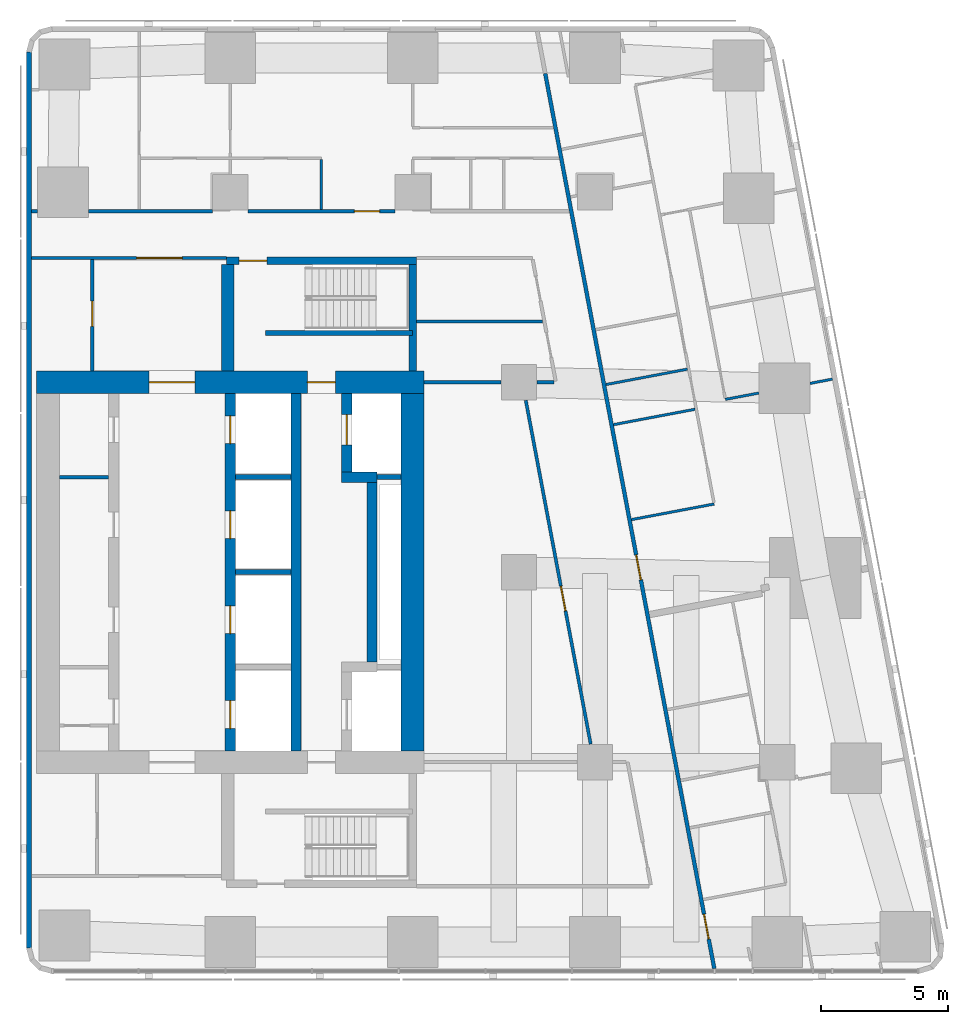
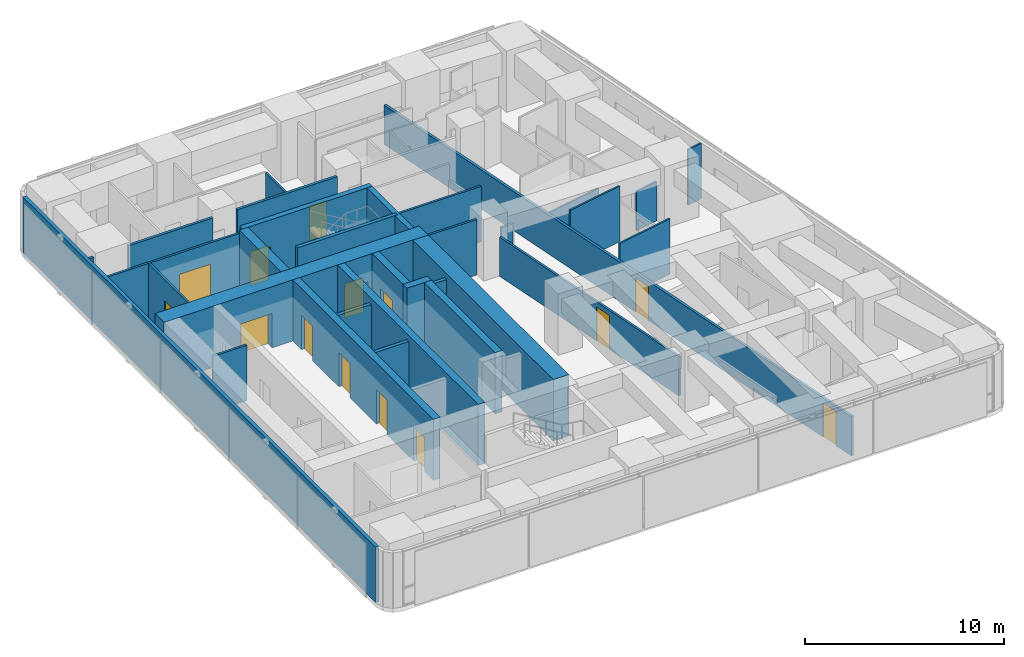
# One storey, part 6 of 10: 32 walls, 14 doors, 14 openings.
"""IFC4 building model written with IfcOpenShell, lengths in metres."""

from ifc_helpers import new_model, si_unit, direction, frame, frame_2d, origin, place, context, subcontext, project, spatial, rectangle, extrude, material, layer, layer_set, type_object, element, fill, save


model = new_model("IFC4")

# Units and contexts
model_context = context("Model", 3, precision=1e-05, world=origin(), true_north=direction((0.0, 1.0)))
body_context = subcontext(model_context, "Body", "Model", "MODEL_VIEW")
ifc_project = project(units=[si_unit("LENGTHUNIT", "METRE"), si_unit("AREAUNIT", "SQUARE_METRE"), si_unit("VOLUMEUNIT", "CUBIC_METRE"), si_unit("PLANEANGLEUNIT", "RADIAN"), si_unit("MASSUNIT", "GRAM", prefix="KILO")], contexts=[model_context])

# Site, building, storey
site_placement = place(None, origin())
site = spatial("IfcSite", under=ifc_project, at=site_placement, CompositionType="ELEMENT")
building_placement = place(site_placement, origin())
building = spatial("IfcBuilding", under=site, at=building_placement, Name="Sheger Commons Tower", CompositionType="ELEMENT")
storey_placement = place(building_placement, frame((0.0, 0.0, 292.85009765625)))
storey = spatial("IfcBuildingStorey", under=building, at=storey_placement, Name="L75", CompositionType="ELEMENT", Elevation=292.85009765625)

# Wall, openings, doors
ifc_material_1 = material(Name="Concrete C50/60", Category="concrete")
ifc_layer_1 = layer(ifc_material_1, 0.39990234375)
ifc_layer_set_1 = layer_set([ifc_layer_1], Name="CORE INNER WALL 400")
wall_type_1 = type_object("IfcWallType", Name="CORE INNER WALL 400", PredefinedType="SHEAR", material=ifc_layer_set_1)
wall_1_placement = place(storey_placement, frame((21.60009765625, 15.449951171875, 0.0), z_axis=(0.0, 0.0, 1.0), x_axis=(0.0, 1.0, 0.0)))
wall_1 = element("IfcWall", 1, at=wall_1_placement, inside=storey, type_object=wall_type_1, Name="Core inner wall L L75", PredefinedType="SHEAR", context=body_context, shape_type="SweptSolid", body=[
    extrude(rectangle(XDim=14.10009765625, YDim=0.39990234375, at=frame_2d((7.050048828125, 0.0))), origin(), (0.0, 0.0, 1.0), 3.75),
])
opening_1_placement = place(wall_1_placement, frame((0.875, 0.0, 0.0)))
opening_1 = element("IfcOpeningElement", 2, at=opening_1_placement, cuts=wall_1, Name="Opening LD", PredefinedType="OPENING", context=body_context, shape_type="SweptSolid", body=[
    extrude(rectangle(XDim=1.10009765625, YDim=2.10009765625, at=frame_2d((0.550048828125, 1.050048828125))), frame((0.0, 0.2099609375, 0.0), z_axis=(0.0, -1.0, 0.0), x_axis=(1.0, 0.0, 0.0)), (0.0, 0.0, 1.0), 0.419921875),
])
opening_2_placement = place(wall_1_placement, frame((4.625, 0.0, 0.0)))
opening_2 = element("IfcOpeningElement", 3, at=opening_2_placement, cuts=wall_1, Name="Opening LD", PredefinedType="OPENING", context=body_context, shape_type="SweptSolid", body=[
    extrude(rectangle(XDim=1.10009765625, YDim=2.10009765625, at=frame_2d((0.550048828125, 1.050048828125))), frame((0.0, 0.2099609375, 0.0), z_axis=(0.0, -1.0, 0.0), x_axis=(1.0, 0.0, 0.0)), (0.0, 0.0, 1.0), 0.419921875),
])
opening_3_placement = place(wall_1_placement, frame((8.375, 0.0, 0.0)))
opening_3 = element("IfcOpeningElement", 4, at=opening_3_placement, cuts=wall_1, Name="Opening LD", PredefinedType="OPENING", context=body_context, shape_type="SweptSolid", body=[
    extrude(rectangle(XDim=1.10009765625, YDim=2.10009765625, at=frame_2d((0.550048828125, 1.050048828125))), frame((0.0, 0.2099609375, 0.0), z_axis=(0.0, -1.0, 0.0), x_axis=(1.0, 0.0, 0.0)), (0.0, 0.0, 1.0), 0.419921875),
])
opening_4_placement = place(wall_1_placement, frame((12.125, 0.0, 0.0)))
opening_4 = element("IfcOpeningElement", 5, at=opening_4_placement, cuts=wall_1, Name="Opening LD", PredefinedType="OPENING", context=body_context, shape_type="SweptSolid", body=[
    extrude(rectangle(XDim=1.10009765625, YDim=2.10009765625, at=frame_2d((0.550048828125, 1.050048828125))), frame((0.0, 0.2099609375, 0.0), z_axis=(0.0, -1.0, 0.0), x_axis=(1.0, 0.0, 0.0)), (0.0, 0.0, 1.0), 0.419921875),
])
ifc_material_2 = material(Name="Steel door set, fire rated", Category="steel")
door_type_1 = type_object("IfcDoorType", Name="LIFT LANDING DOOR 1100x2100", OperationType="DOUBLE_DOOR_SLIDING", PredefinedType="DOOR", material=ifc_material_2)
door_1_placement = place(opening_1_placement, origin())
door_1 = element("IfcDoor", 6, at=door_1_placement, inside=storey, type_object=door_type_1, Name="Lift LB1 landing door", OperationType="DOUBLE_DOOR_SLIDING", OverallHeight=2.10009765625, OverallWidth=1.10009765625, PredefinedType="DOOR", context=body_context, shape_type="SweptSolid", body=[
    extrude(rectangle(XDim=1.10009765625, YDim=2.10009765625, at=frame_2d((0.550048828125, 1.050048828125))), frame((0.0, 0.02490234375, 0.0), z_axis=(0.0, -1.0, 0.0), x_axis=(1.0, 0.0, 0.0)), (0.0, 0.0, 1.0), 0.050048828125),
])
fill(opening_1, door_1)
door_2_placement = place(opening_2_placement, origin())
door_2 = element("IfcDoor", 7, at=door_2_placement, inside=storey, type_object=door_type_1, Name="Lift LB2 landing door", OperationType="DOUBLE_DOOR_SLIDING", OverallHeight=2.10009765625, OverallWidth=1.10009765625, PredefinedType="DOOR", context=body_context, shape_type="SweptSolid", body=[
    extrude(rectangle(XDim=1.10009765625, YDim=2.10009765625, at=frame_2d((0.550048828125, 1.050048828125))), frame((0.0, 0.02490234375, 0.0), z_axis=(0.0, -1.0, 0.0), x_axis=(1.0, 0.0, 0.0)), (0.0, 0.0, 1.0), 0.050048828125),
])
fill(opening_2, door_2)
door_3_placement = place(opening_3_placement, origin())
door_3 = element("IfcDoor", 8, at=door_3_placement, inside=storey, type_object=door_type_1, Name="Lift LB3 landing door", OperationType="DOUBLE_DOOR_SLIDING", OverallHeight=2.10009765625, OverallWidth=1.10009765625, PredefinedType="DOOR", context=body_context, shape_type="SweptSolid", body=[
    extrude(rectangle(XDim=1.10009765625, YDim=2.10009765625, at=frame_2d((0.550048828125, 1.050048828125))), frame((0.0, 0.02490234375, 0.0), z_axis=(0.0, -1.0, 0.0), x_axis=(1.0, 0.0, 0.0)), (0.0, 0.0, 1.0), 0.050048828125),
])
fill(opening_3, door_3)
door_4_placement = place(opening_4_placement, origin())
door_4 = element("IfcDoor", 9, at=door_4_placement, inside=storey, type_object=door_type_1, Name="Lift LB4 landing door", OperationType="DOUBLE_DOOR_SLIDING", OverallHeight=2.10009765625, OverallWidth=1.10009765625, PredefinedType="DOOR", context=body_context, shape_type="SweptSolid", body=[
    extrude(rectangle(XDim=1.10009765625, YDim=2.10009765625, at=frame_2d((0.550048828125, 1.050048828125))), frame((0.0, 0.02490234375, 0.0), z_axis=(0.0, -1.0, 0.0), x_axis=(1.0, 0.0, 0.0)), (0.0, 0.0, 1.0), 0.050048828125),
])
fill(opening_4, door_4)

# Walls
wall_2_placement = place(storey_placement, frame((24.199951171875, 15.449951171875, 0.0), z_axis=(0.0, 0.0, 1.0), x_axis=(0.0, 1.0, 0.0)))
element("IfcWall", 10, at=wall_2_placement, inside=storey, type_object=wall_type_1, Name="Core inner wall B L75", PredefinedType="SHEAR", context=body_context, shape_type="SweptSolid", body=[
    extrude(rectangle(XDim=14.10009765625, YDim=0.39990234375, at=frame_2d((7.050048828125, 0.0))), origin(), (0.0, 0.0, 1.0), 3.75),
])
wall_3_placement = place(storey_placement, frame((27.199951171875, 18.949951171875, 0.0), z_axis=(0.0, 0.0, 1.0), x_axis=(0.0, 1.0, 0.0)))
element("IfcWall", 11, at=wall_3_placement, inside=storey, type_object=wall_type_1, Name="Core inner wall F middle L75", PredefinedType="SHEAR", context=body_context, shape_type="SweptSolid", body=[
    extrude(rectangle(XDim=7.10009765625, YDim=0.39990234375, at=frame_2d((3.550048828125, 0.0))), origin(), (0.0, 0.0, 1.0), 3.75),
])
wall_4_placement = place(storey_placement, frame((26.0, 26.25, 0.0), z_axis=(0.0, 0.0, 1.0), x_axis=(1.0, 0.0, 0.0)))
element("IfcWall", 12, at=wall_4_placement, inside=storey, type_object=wall_type_1, Name="Core inner wall F north return L75", PredefinedType="SHEAR", context=body_context, shape_type="SweptSolid", body=[
    extrude(rectangle(XDim=1.39990234375, YDim=0.39990234375, at=frame_2d((0.699951171875, 0.0))), origin(), (0.0, 0.0, 1.0), 3.75),
])

# Wall, opening, door
wall_5_placement = place(storey_placement, frame((26.199951171875, 26.449951171875, 0.0), z_axis=(0.0, 0.0, 1.0), x_axis=(0.0, 1.0, 0.0)))
wall_5 = element("IfcWall", 13, at=wall_5_placement, inside=storey, type_object=wall_type_1, Name="Core inner wall F north L75", PredefinedType="SHEAR", context=body_context, shape_type="SweptSolid", body=[
    extrude(rectangle(XDim=3.10009765625, YDim=0.39990234375, at=frame_2d((1.550048828125, 0.0))), origin(), (0.0, 0.0, 1.0), 3.75),
])
opening_5_placement = place(wall_5_placement, frame((1.074951171875, 0.0, 0.0)))
opening_5 = element("IfcOpeningElement", 14, at=opening_5_placement, cuts=wall_5, Name="Opening LD2", PredefinedType="OPENING", context=body_context, shape_type="SweptSolid", body=[
    extrude(rectangle(XDim=1.199951171875, YDim=2.10009765625, at=frame_2d((0.60009765625, 1.050048828125))), frame((0.0, 0.2099609375, 0.0), z_axis=(0.0, -1.0, 0.0), x_axis=(1.0, 0.0, 0.0)), (0.0, 0.0, 1.0), 0.419921875),
])
ifc_material_3 = material(Name="Steel door set, fire rated", Category="steel")
door_type_2 = type_object("IfcDoorType", Name="FIREFIGHTING LIFT LANDING DOOR 1200x2100", OperationType="DOUBLE_DOOR_SLIDING", PredefinedType="DOOR", material=ifc_material_3)
door_5_placement = place(opening_5_placement, origin())
door_5 = element("IfcDoor", 15, at=door_5_placement, inside=storey, type_object=door_type_2, Name="Lift FL2 landing door", OperationType="DOUBLE_DOOR_SLIDING", OverallHeight=2.10009765625, OverallWidth=1.199951171875, PredefinedType="DOOR", context=body_context, shape_type="SweptSolid", body=[
    extrude(rectangle(XDim=1.199951171875, YDim=2.10009765625, at=frame_2d((0.60009765625, 1.050048828125))), frame((0.0, 0.02490234375, 0.0), z_axis=(0.0, -1.0, 0.0), x_axis=(1.0, 0.0, 0.0)), (0.0, 0.0, 1.0), 0.050048828125),
])
fill(opening_5, door_5)

# Wall, openings, doors
ifc_material_4 = material(Name="Concrete C50/60", Category="concrete")
ifc_layer_2 = layer(ifc_material_4, 0.89990234375)
ifc_layer_set_2 = layer_set([ifc_layer_2], Name="CORE WALL 900")
wall_type_2 = type_object("IfcWallType", Name="CORE WALL 900", PredefinedType="SHEAR", material=ifc_layer_set_2)
wall_6_placement = place(storey_placement, frame((13.949951171875, 30.0, 0.0), z_axis=(0.0, 0.0, 1.0), x_axis=(1.0, 0.0, 0.0)))
wall_6 = element("IfcWall", 16, at=wall_6_placement, inside=storey, type_object=wall_type_2, Name="Core wall north L75", PredefinedType="SHEAR", context=body_context, shape_type="SweptSolid", body=[
    extrude(rectangle(XDim=15.300048828125, YDim=0.89990234375, at=frame_2d((7.64990234375, 0.0))), origin(), (0.0, 0.0, 1.0), 3.75),
])
opening_6_placement = place(wall_6_placement, frame((4.449951171875, 0.0, 0.0)))
opening_6 = element("IfcOpeningElement", 17, at=opening_6_placement, cuts=wall_6, Name="Opening D6", PredefinedType="OPENING", context=body_context, shape_type="SweptSolid", body=[
    extrude(rectangle(XDim=1.800048828125, YDim=2.10009765625, at=frame_2d((0.89990234375, 1.050048828125))), frame((0.0, 0.4599609375, 0.0), z_axis=(0.0, -1.0, 0.0), x_axis=(1.0, 0.0, 0.0)), (0.0, 0.0, 1.0), 0.919921875),
])
opening_7_placement = place(wall_6_placement, frame((10.699951171875, 0.0, 0.0)))
opening_7 = element("IfcOpeningElement", 18, at=opening_7_placement, cuts=wall_6, Name="Opening D5", PredefinedType="OPENING", context=body_context, shape_type="SweptSolid", body=[
    extrude(rectangle(XDim=1.10009765625, YDim=2.10009765625, at=frame_2d((0.550048828125, 1.050048828125))), frame((0.0, 0.4599609375, 0.0), z_axis=(0.0, -1.0, 0.0), x_axis=(1.0, 0.0, 0.0)), (0.0, 0.0, 1.0), 0.919921875),
])
ifc_material_5 = material(Name="Steel door set, fire rated", Category="steel")
door_type_3 = type_object("IfcDoorType", Name="LOBBY DOUBLE DOOR 1800x2100", OperationType="DOUBLE_DOOR_SINGLE_SWING", PredefinedType="DOOR", material=ifc_material_5)
door_6_placement = place(opening_6_placement, origin())
door_6 = element("IfcDoor", 19, at=door_6_placement, inside=storey, type_object=door_type_3, Name="Lift lobby door", OperationType="DOUBLE_DOOR_SINGLE_SWING", OverallHeight=2.10009765625, OverallWidth=1.800048828125, PredefinedType="DOOR", context=body_context, shape_type="SweptSolid", body=[
    extrude(rectangle(XDim=1.800048828125, YDim=2.10009765625, at=frame_2d((0.89990234375, 1.050048828125))), frame((0.0, 0.02490234375, 0.0), z_axis=(0.0, -1.0, 0.0), x_axis=(1.0, 0.0, 0.0)), (0.0, 0.0, 1.0), 0.050048828125),
])
fill(opening_6, door_6)
ifc_material_6 = material(Name="Steel door set, fire rated", Category="steel")
door_type_4 = type_object("IfcDoorType", Name="STAIR DOOR 1100x2100", OperationType="NOTDEFINED", PredefinedType="DOOR", material=ifc_material_6)
door_7_placement = place(opening_7_placement, origin())
door_7 = element("IfcDoor", 20, at=door_7_placement, inside=storey, type_object=door_type_4, Name="Fire-fighting lobby door", OperationType="SINGLE_SWING_RIGHT", OverallHeight=2.10009765625, OverallWidth=1.10009765625, PredefinedType="DOOR", context=body_context, shape_type="SweptSolid", body=[
    extrude(rectangle(XDim=1.10009765625, YDim=2.10009765625, at=frame_2d((0.550048828125, 1.050048828125))), frame((0.0, 0.02490234375, 0.0), z_axis=(0.0, -1.0, 0.0), x_axis=(1.0, 0.0, 0.0)), (0.0, 0.0, 1.0), 0.050048828125),
])
fill(opening_7, door_7)

# Walls
wall_7_placement = place(storey_placement, frame((28.800048828125, 15.449951171875, 0.0), z_axis=(0.0, 0.0, 1.0), x_axis=(0.0, 1.0, 0.0)))
element("IfcWall", 21, at=wall_7_placement, inside=storey, type_object=wall_type_2, Name="Core wall east L75", PredefinedType="SHEAR", context=body_context, shape_type="SweptSolid", body=[
    extrude(rectangle(XDim=14.10009765625, YDim=0.89990234375, at=frame_2d((7.050048828125, 0.0))), origin(), (0.0, 0.0, 1.0), 3.75),
])
ifc_material_7 = material(Name="Hollow concrete block masonry, skimmed both sides", Category="masonry")
ifc_layer_3 = layer(ifc_material_7, 0.14990234375)
ifc_layer_set_3 = layer_set([ifc_layer_3], Name="CORRIDOR WALL 150")
wall_type_3 = type_object("IfcWallType", Name="CORRIDOR WALL 150", PredefinedType="SOLIDWALL", material=ifc_layer_set_3)
wall_8_placement = place(storey_placement, frame((13.75, 36.75, 0.0), z_axis=(0.0, 0.0, 1.0), x_axis=(1.0, 0.0, 0.0)))
element("IfcWall", 22, at=wall_8_placement, inside=storey, type_object=wall_type_3, Name="Corridor wall L75", PredefinedType="SOLIDWALL", context=body_context, shape_type="SweptSolid", body=[
    extrude(rectangle(XDim=0.2490234375, YDim=0.14990234375, at=frame_2d((0.12451171875, 0.0))), origin(), (0.0, 0.0, 1.0), 3.39990234375),
])
wall_9_placement = place(storey_placement, frame((16.0009765625, 36.75, 0.0), z_axis=(0.0, 0.0, 1.0), x_axis=(1.0, 0.0, 0.0)))
element("IfcWall", 23, at=wall_9_placement, inside=storey, type_object=wall_type_3, Name="Corridor wall L75", PredefinedType="SOLIDWALL", context=body_context, shape_type="SweptSolid", body=[
    extrude(rectangle(XDim=4.89794921875, YDim=0.14990234375, at=frame_2d((2.448974609375, 0.0))), origin(), (0.0, 0.0, 1.0), 3.39990234375),
])

# Wall, opening, door
wall_10_placement = place(storey_placement, frame((22.301025390625, 36.75, 0.0), z_axis=(0.0, 0.0, 1.0), x_axis=(1.0, 0.0, 0.0)))
wall_10 = element("IfcWall", 24, at=wall_10_placement, inside=storey, type_object=wall_type_3, Name="Corridor wall L75", PredefinedType="SOLIDWALL", context=body_context, shape_type="SweptSolid", body=[
    extrude(rectangle(XDim=5.798095703125, YDim=0.14990234375, at=frame_2d((2.89892578125, 0.0))), origin(), (0.0, 0.0, 1.0), 3.39990234375),
])
opening_8_placement = place(wall_10_placement, frame((4.198974609375, 0.0, 0.0)))
opening_8 = element("IfcOpeningElement", 25, at=opening_8_placement, cuts=wall_10, Name="Opening D1", PredefinedType="OPENING", context=body_context, shape_type="SweptSolid", body=[
    extrude(rectangle(XDim=1.0, YDim=2.10009765625, at=frame_2d((0.5, 1.050048828125))), frame((0.0, 0.0849609375, 0.0), z_axis=(0.0, -1.0, 0.0), x_axis=(1.0, 0.0, 0.0)), (0.0, 0.0, 1.0), 0.169921875),
])
ifc_material_8 = material(Name="Steel door set, fire rated", Category="steel")
door_type_5 = type_object("IfcDoorType", Name="FLAT ENTRANCE DOOR 1000x2100", OperationType="NOTDEFINED", PredefinedType="DOOR", material=ifc_material_8)
door_8_placement = place(opening_8_placement, origin())
door_8 = element("IfcDoor", 26, at=door_8_placement, inside=storey, type_object=door_type_5, Name="Flat entrance door", OperationType="SINGLE_SWING_RIGHT", OverallHeight=2.10009765625, OverallWidth=1.0, PredefinedType="DOOR", context=body_context, shape_type="SweptSolid", body=[
    extrude(rectangle(XDim=1.0, YDim=2.10009765625, at=frame_2d((0.5, 1.050048828125))), frame((0.0, 0.02490234375, 0.0), z_axis=(0.0, -1.0, 0.0), x_axis=(1.0, 0.0, 0.0)), (0.0, 0.0, 1.0), 0.050048828125),
])
fill(opening_8, door_8)

# Wall, openings, doors
wall_11_placement = place(storey_placement, frame((34.035888671875, 42.18603515625, 0.0), z_axis=(0.0, 0.0, 1.0), x_axis=(0.185593518645, -0.9826266055, 0.0)))
wall_11 = element("IfcWall", 27, at=wall_11_placement, inside=storey, type_object=wall_type_3, Name="Corridor wall L75", PredefinedType="SOLIDWALL", context=body_context, shape_type="SweptSolid", body=[
    extrude(rectangle(XDim=35.960693359375, YDim=0.14990234375, at=frame_2d((17.98046875, 0.0))), origin(), (0.0, 0.0, 1.0), 2.39990234375),
])
opening_9_placement = place(wall_11_placement, frame((19.344970703125, 0.0, 0.0)))
opening_9 = element("IfcOpeningElement", 28, at=opening_9_placement, cuts=wall_11, Name="Opening D1", PredefinedType="OPENING", context=body_context, shape_type="SweptSolid", body=[
    extrude(rectangle(XDim=1.0, YDim=2.10009765625, at=frame_2d((0.5, 1.050048828125))), frame((0.0, 0.0849609375, 0.0), z_axis=(0.0, -1.0, 0.0), x_axis=(1.0, 0.0, 0.0)), (0.0, 0.0, 1.0), 0.169921875),
])
opening_10_placement = place(wall_11_placement, frame((33.77392578125, 0.0, 0.0)))
opening_10 = element("IfcOpeningElement", 29, at=opening_10_placement, cuts=wall_11, Name="Opening D1", PredefinedType="OPENING", context=body_context, shape_type="SweptSolid", body=[
    extrude(rectangle(XDim=1.0, YDim=2.10009765625, at=frame_2d((0.5, 1.050048828125))), frame((0.0, 0.0849609375, 0.0), z_axis=(0.0, -1.0, 0.0), x_axis=(1.0, 0.0, 0.0)), (0.0, 0.0, 1.0), 0.169921875),
])
door_9_placement = place(opening_9_placement, origin())
door_9 = element("IfcDoor", 30, at=door_9_placement, inside=storey, type_object=door_type_5, Name="Flat entrance door", OperationType="SINGLE_SWING_RIGHT", OverallHeight=2.10009765625, OverallWidth=1.0, PredefinedType="DOOR", context=body_context, shape_type="SweptSolid", body=[
    extrude(rectangle(XDim=1.0, YDim=2.10009765625, at=frame_2d((0.5, 1.050048828125))), frame((0.0, 0.02490234375, 0.0), z_axis=(0.0, -1.0, 0.0), x_axis=(1.0, 0.0, 0.0)), (0.0, 0.0, 1.0), 0.050048828125),
])
fill(opening_9, door_9)
door_10_placement = place(opening_10_placement, origin())
door_10 = element("IfcDoor", 31, at=door_10_placement, inside=storey, type_object=door_type_5, Name="Flat entrance door", OperationType="SINGLE_SWING_LEFT", OverallHeight=2.10009765625, OverallWidth=1.0, PredefinedType="DOOR", context=body_context, shape_type="SweptSolid", body=[
    extrude(rectangle(XDim=1.0, YDim=2.10009765625, at=frame_2d((0.5, 1.050048828125))), frame((0.0, 0.02490234375, 0.0), z_axis=(0.0, -1.0, 0.0), x_axis=(1.0, 0.0, 0.0)), (0.0, 0.0, 1.0), 0.050048828125),
])
fill(opening_10, door_10)

# Walls
ifc_material_9 = material(Name="Rendered concrete block masonry, dark grey", Category="masonry")
ifc_layer_4 = layer(ifc_material_9, 0.199951171875)
ifc_layer_set_4 = layer_set([ifc_layer_4], Name="FACADE WALL 200")
wall_type_4 = type_object("IfcWallType", Name="FACADE WALL 200", PredefinedType="SOLIDWALL", material=ifc_layer_set_4)
wall_12_placement = place(storey_placement, frame((13.64990234375, 43.037109375, 0.0), z_axis=(0.0, 0.0, 1.0), x_axis=(0.0, -1.0, 0.0)))
element("IfcWall", 32, at=wall_12_placement, inside=storey, type_object=wall_type_4, Name="Facade wall L75", PredefinedType="SOLIDWALL", context=body_context, shape_type="SweptSolid", body=[
    extrude(rectangle(XDim=35.3740234375, YDim=0.199951171875, at=frame_2d((17.68701171875, 0.0))), origin(), (0.0, 0.0, 1.0), 3.39990234375),
])
ifc_material_10 = material(Name="Gypsum board on steel studs", Category="steel")
ifc_layer_5 = layer(ifc_material_10, 0.10009765625)
ifc_layer_set_5 = layer_set([ifc_layer_5], Name="PARTITION 100")
wall_type_5 = type_object("IfcWallType", Name="PARTITION 100", PredefinedType="PARTITIONING", material=ifc_layer_set_5)
wall_13_placement = place(storey_placement, frame((45.3720703125, 30.12109375, 0.0), z_axis=(0.0, 0.0, 1.0), x_axis=(-0.982547416156, -0.186012297994, 0.0)))
element("IfcWall", 33, at=wall_13_placement, inside=storey, type_object=wall_type_5, Name="Partition L75", PredefinedType="PARTITIONING", context=body_context, shape_type="SweptSolid", body=[
    extrude(rectangle(XDim=0.897705078125, YDim=0.10009765625, at=frame_2d((0.44873046875, 0.0))), origin(), (0.0, 0.0, 1.0), 3.39990234375),
])
wall_14_placement = place(storey_placement, frame((42.469970703125, 29.572021484375, 0.0), z_axis=(0.0, 0.0, 1.0), x_axis=(-0.982610503289, -0.185678751683, 0.0)))
element("IfcWall", 34, at=wall_14_placement, inside=storey, type_object=wall_type_5, Name="Partition L75", PredefinedType="PARTITIONING", context=body_context, shape_type="SweptSolid", body=[
    extrude(rectangle(XDim=1.346435546875, YDim=0.10009765625, at=frame_2d((0.67333984375, 0.0))), origin(), (0.0, 0.0, 1.0), 2.39990234375),
])
wall_15_placement = place(storey_placement, frame((39.947998046875, 28.931884765625, 0.0), z_axis=(0.0, 0.0, 1.0), x_axis=(-0.982610347627, -0.185679575441, 0.0)))
element("IfcWall", 35, at=wall_15_placement, inside=storey, type_object=wall_type_5, Name="Partition L75", PredefinedType="PARTITIONING", context=body_context, shape_type="SweptSolid", body=[
    extrude(rectangle(XDim=3.27392578125, YDim=0.10009765625, at=frame_2d((1.636962890625, 0.0))), origin(), (0.0, 0.0, 1.0), 3.39990234375),
])
wall_16_placement = place(storey_placement, frame((40.7060546875, 25.19189453125, 0.0), z_axis=(0.0, 0.0, 1.0), x_axis=(-0.982633623707, -0.185556356831, 0.0)))
element("IfcWall", 36, at=wall_16_placement, inside=storey, type_object=wall_type_5, Name="Partition L75", PredefinedType="PARTITIONING", context=body_context, shape_type="SweptSolid", body=[
    extrude(rectangle(XDim=3.324951171875, YDim=0.10009765625, at=frame_2d((1.66259765625, 0.0))), origin(), (0.0, 0.0, 1.0), 3.39990234375),
])
wall_17_placement = place(storey_placement, frame((39.64892578125, 30.514892578125, 0.0), z_axis=(0.0, 0.0, 1.0), x_axis=(-0.982610347627, -0.185679575441, 0.0)))
element("IfcWall", 37, at=wall_17_placement, inside=storey, type_object=wall_type_5, Name="Partition L75", PredefinedType="PARTITIONING", context=body_context, shape_type="SweptSolid", body=[
    extrude(rectangle(XDim=3.27392578125, YDim=0.10009765625, at=frame_2d((1.636962890625, 0.0))), origin(), (0.0, 0.0, 1.0), 2.39990234375),
])
wall_18_placement = place(storey_placement, frame((25.199951171875, 36.824951171875, 0.0), z_axis=(0.0, 0.0, 1.0), x_axis=(0.0, 1.0, 0.0)))
element("IfcWall", 38, at=wall_18_placement, inside=storey, type_object=wall_type_5, Name="Partition L75", PredefinedType="PARTITIONING", context=body_context, shape_type="SweptSolid", body=[
    extrude(rectangle(XDim=1.97509765625, YDim=0.10009765625, at=frame_2d((0.987548828125, 0.0))), origin(), (0.0, 0.0, 1.0), 3.39990234375),
])

# Wall, opening, door
ifc_material_11 = material(Name="Gypsum board on steel studs, two layers each side, fire rated", Category="steel")
ifc_layer_6 = layer(ifc_material_11, 0.125)
ifc_layer_set_6 = layer_set([ifc_layer_6], Name="SERVICE WALL 125")
wall_type_6 = type_object("IfcWallType", Name="SERVICE WALL 125", PredefinedType="PARTITIONING", material=ifc_layer_set_6)
wall_19_placement = place(storey_placement, frame((13.75, 34.89990234375, 0.0), z_axis=(0.0, 0.0, 1.0), x_axis=(1.0, 0.0, 0.0)))
wall_19 = element("IfcWall", 39, at=wall_19_placement, inside=storey, type_object=wall_type_6, Name="Service room wall L75", PredefinedType="PARTITIONING", context=body_context, shape_type="SweptSolid", body=[
    extrude(rectangle(XDim=7.699951171875, YDim=0.125, at=frame_2d((3.85009765625, 0.0))), origin(), (0.0, 0.0, 1.0), 3.39990234375),
])
opening_11_placement = place(wall_19_placement, frame((4.14990234375, 0.0, 0.0)))
opening_11 = element("IfcOpeningElement", 40, at=opening_11_placement, cuts=wall_19, Name="Opening D6", PredefinedType="OPENING", context=body_context, shape_type="SweptSolid", body=[
    extrude(rectangle(XDim=1.800048828125, YDim=2.10009765625, at=frame_2d((0.89990234375, 1.050048828125))), frame((0.0, 0.072509765625, 0.0), z_axis=(0.0, -1.0, 0.0), x_axis=(1.0, 0.0, 0.0)), (0.0, 0.0, 1.0), 0.14501953125),
])
door_11_placement = place(opening_11_placement, origin())
door_11 = element("IfcDoor", 41, at=door_11_placement, inside=storey, type_object=door_type_3, Name="Lift lobby north door", OperationType="DOUBLE_DOOR_SINGLE_SWING", OverallHeight=2.10009765625, OverallWidth=1.800048828125, PredefinedType="DOOR", context=body_context, shape_type="SweptSolid", body=[
    extrude(rectangle(XDim=1.800048828125, YDim=2.10009765625, at=frame_2d((0.89990234375, 1.050048828125))), frame((0.0, 0.02490234375, 0.0), z_axis=(0.0, -1.0, 0.0), x_axis=(1.0, 0.0, 0.0)), (0.0, 0.0, 1.0), 0.050048828125),
])
fill(opening_11, door_11)

wall_20_placement = place(storey_placement, frame((16.14990234375, 30.449951171875, 0.0), z_axis=(0.0, 0.0, 1.0), x_axis=(0.0, 1.0, 0.0)))
wall_20 = element("IfcWall", 42, at=wall_20_placement, inside=storey, type_object=wall_type_6, Name="Service room wall L75", PredefinedType="PARTITIONING", context=body_context, shape_type="SweptSolid", body=[
    extrude(rectangle(XDim=4.386962890625, YDim=0.125, at=frame_2d((2.193359375, 0.0))), origin(), (0.0, 0.0, 1.0), 3.39990234375),
])
opening_12_placement = place(wall_20_placement, frame((1.75, 0.0, 0.0)))
opening_12 = element("IfcOpeningElement", 43, at=opening_12_placement, cuts=wall_20, Name="Opening D4", PredefinedType="OPENING", context=body_context, shape_type="SweptSolid", body=[
    extrude(rectangle(XDim=1.0, YDim=2.10009765625, at=frame_2d((0.5, 1.050048828125))), frame((0.0, 0.072509765625, 0.0), z_axis=(0.0, -1.0, 0.0), x_axis=(1.0, 0.0, 0.0)), (0.0, 0.0, 1.0), 0.14501953125),
])
ifc_material_12 = material(Name="Steel door set, fire rated", Category="steel")
door_type_6 = type_object("IfcDoorType", Name="SERVICE DOOR 1000x2100", OperationType="NOTDEFINED", PredefinedType="DOOR", material=ifc_material_12)
door_12_placement = place(opening_12_placement, origin())
door_12 = element("IfcDoor", 44, at=door_12_placement, inside=storey, type_object=door_type_6, Name="Telecom room door", OperationType="SINGLE_SWING_RIGHT", OverallHeight=2.10009765625, OverallWidth=1.0, PredefinedType="DOOR", context=body_context, shape_type="SweptSolid", body=[
    extrude(rectangle(XDim=1.0, YDim=2.10009765625, at=frame_2d((0.5, 1.050048828125))), frame((0.0, 0.02490234375, 0.0), z_axis=(0.0, -1.0, 0.0), x_axis=(1.0, 0.0, 0.0)), (0.0, 0.0, 1.0), 0.050048828125),
])
fill(opening_12, door_12)

wall_21_placement = place(storey_placement, frame((35.830078125, 15.712890625, 0.0), z_axis=(0.0, 0.0, 1.0), x_axis=(-0.185534724166, 0.982637708481, 0.0)))
wall_21 = element("IfcWall", 45, at=wall_21_placement, inside=storey, type_object=wall_type_6, Name="Service room wall L75", PredefinedType="PARTITIONING", context=body_context, shape_type="SweptSolid", body=[
    extrude(rectangle(XDim=13.81396484375, YDim=0.125, at=frame_2d((6.906982421875, 0.0))), origin(), (0.0, 0.0, 1.0), 2.39990234375),
])
opening_13_placement = place(wall_21_placement, frame((5.35009765625, 0.0, 0.0)))
opening_13 = element("IfcOpeningElement", 46, at=opening_13_placement, cuts=wall_21, Name="Opening D4", PredefinedType="OPENING", context=body_context, shape_type="SweptSolid", body=[
    extrude(rectangle(XDim=1.0, YDim=2.10009765625, at=frame_2d((0.5, 1.050048828125))), frame((0.0, 0.072509765625, 0.0), z_axis=(0.0, -1.0, 0.0), x_axis=(1.0, 0.0, 0.0)), (0.0, 0.0, 1.0), 0.14501953125),
])
door_13_placement = place(opening_13_placement, origin())
door_13 = element("IfcDoor", 47, at=door_13_placement, inside=storey, type_object=door_type_6, Name="Residents' gym door", OperationType="SINGLE_SWING_LEFT", OverallHeight=2.10009765625, OverallWidth=1.0, PredefinedType="DOOR", context=body_context, shape_type="SweptSolid", body=[
    extrude(rectangle(XDim=1.0, YDim=2.10009765625, at=frame_2d((0.5, 1.050048828125))), frame((0.0, 0.02490234375, 0.0), z_axis=(0.0, -1.0, 0.0), x_axis=(1.0, 0.0, 0.0)), (0.0, 0.0, 1.0), 0.050048828125),
])
fill(opening_13, door_13)

# Walls
wall_22_placement = place(storey_placement, frame((29.25, 30.0, 0.0), z_axis=(0.0, 0.0, 1.0), x_axis=(1.0, 0.0, 0.0)))
element("IfcWall", 48, at=wall_22_placement, inside=storey, type_object=wall_type_6, Name="Service room wall L75", PredefinedType="PARTITIONING", context=body_context, shape_type="SweptSolid", body=[
    extrude(rectangle(XDim=3.049072265625, YDim=0.125, at=frame_2d((1.5244140625, 0.0))), origin(), (0.0, 0.0, 1.0), 3.39990234375),
])
wall_23_placement = place(storey_placement, frame((33.700927734375, 30.0, 0.0), z_axis=(0.0, 0.0, 1.0), x_axis=(1.0, 0.0, 0.0)))
element("IfcWall", 49, at=wall_23_placement, inside=storey, type_object=wall_type_6, Name="Service room wall L75", PredefinedType="PARTITIONING", context=body_context, shape_type="SweptSolid", body=[
    extrude(rectangle(XDim=0.678955078125, YDim=0.125, at=frame_2d((0.33935546875, 0.0))), origin(), (0.0, 0.0, 1.0), 2.39990234375),
])
wall_24_placement = place(storey_placement, frame((28.949951171875, 32.39990234375, 0.0), z_axis=(0.0, 0.0, 1.0), x_axis=(1.0, 0.0, 0.0)))
element("IfcWall", 50, at=wall_24_placement, inside=storey, type_object=wall_type_6, Name="Service room wall L75", PredefinedType="PARTITIONING", context=body_context, shape_type="SweptSolid", body=[
    extrude(rectangle(XDim=4.97607421875, YDim=0.125, at=frame_2d((2.488037109375, 0.0))), origin(), (0.0, 0.0, 1.0), 3.39990234375),
])
wall_25_placement = place(storey_placement, frame((14.85009765625, 26.25, 0.0), z_axis=(0.0, 0.0, 1.0), x_axis=(1.0, 0.0, 0.0)))
element("IfcWall", 51, at=wall_25_placement, inside=storey, type_object=wall_type_6, Name="Service room wall L75", PredefinedType="PARTITIONING", context=body_context, shape_type="SweptSolid", body=[
    extrude(rectangle(XDim=1.949951171875, YDim=0.125, at=frame_2d((0.97509765625, 0.0))), origin(), (0.0, 0.0, 1.0), 3.39990234375),
])
ifc_material_13 = material(Name="Hollow concrete block masonry", Category="masonry")
ifc_layer_7 = layer(ifc_material_13, 0.199951171875)
ifc_layer_set_7 = layer_set([ifc_layer_7], Name="SHAFT WALL 200")
wall_type_7 = type_object("IfcWallType", Name="SHAFT WALL 200", PredefinedType="SOLIDWALL", material=ifc_layer_set_7)
for number, where, z_axis, x_axis, name in (
    (52, (21.800048828125, 22.5, 0.0), (0.0, 0.0, 1.0), (1.0, 0.0, 0.0), "Lift shaft wall L75"),
    (53, (21.800048828125, 26.25, 0.0), (0.0, 0.0, 1.0), (1.0, 0.0, 0.0), "Lift shaft wall L75"),
):
    element("IfcWall", number, at=place(storey_placement, frame(where, z_axis=z_axis, x_axis=x_axis)), inside=storey, type_object=wall_type_7, Name=name, PredefinedType="SOLIDWALL", context=body_context, shape_type="SweptSolid", body=[
        extrude(rectangle(XDim=2.199951171875, YDim=0.199951171875, at=frame_2d((1.10009765625, 0.0))), origin(), (0.0, 0.0, 1.0), 3.39990234375),
    ])
wall_26_placement = place(storey_placement, frame((27.39990234375, 26.25, 0.0), z_axis=(0.0, 0.0, 1.0), x_axis=(1.0, 0.0, 0.0)))
element("IfcWall", 54, at=wall_26_placement, inside=storey, type_object=wall_type_7, Name="Lift shaft wall L75", PredefinedType="SOLIDWALL", context=body_context, shape_type="SweptSolid", body=[
    extrude(rectangle(XDim=0.9501953125, YDim=0.199951171875, at=frame_2d((0.47509765625, 0.0))), origin(), (0.0, 0.0, 1.0), 3.39990234375),
])

# Wall, opening, door
ifc_material_14 = material(Name="Concrete C50/60", Category="concrete")
ifc_layer_8 = layer(ifc_material_14, 0.300048828125)
ifc_layer_set_8 = layer_set([ifc_layer_8], Name="STAIR CORE WALL 300")
wall_type_8 = type_object("IfcWallType", Name="STAIR CORE WALL 300", PredefinedType="SHEAR", material=ifc_layer_set_8)
wall_27_placement = place(storey_placement, frame((21.449951171875, 34.800048828125, 0.0), z_axis=(0.0, 0.0, 1.0), x_axis=(1.0, 0.0, 0.0)))
wall_27 = element("IfcWall", 55, at=wall_27_placement, inside=storey, type_object=wall_type_8, Name="STW-L75-S2N", PredefinedType="SHEAR", context=body_context, shape_type="SweptSolid", body=[
    extrude(rectangle(XDim=7.5, YDim=0.300048828125, at=frame_2d((3.75, 0.0))), origin(), (0.0, 0.0, 1.0), 3.75),
])
opening_14_placement = place(wall_27_placement, frame((0.5, 0.0, 0.0)))
opening_14 = element("IfcOpeningElement", 56, at=opening_14_placement, cuts=wall_27, Name="Opening D5", PredefinedType="OPENING", context=body_context, shape_type="SweptSolid", body=[
    extrude(rectangle(XDim=1.10009765625, YDim=2.10009765625, at=frame_2d((0.550048828125, 1.050048828125))), frame((0.0, 0.159912109375, 0.0), z_axis=(0.0, -1.0, 0.0), x_axis=(1.0, 0.0, 0.0)), (0.0, 0.0, 1.0), 0.320068359375),
])
door_14_placement = place(opening_14_placement, origin())
door_14 = element("IfcDoor", 57, at=door_14_placement, inside=storey, type_object=door_type_4, Name="Stair S2 door", OperationType="SINGLE_SWING_RIGHT", OverallHeight=2.10009765625, OverallWidth=1.10009765625, PredefinedType="DOOR", context=body_context, shape_type="SweptSolid", body=[
    extrude(rectangle(XDim=1.10009765625, YDim=2.10009765625, at=frame_2d((0.550048828125, 1.050048828125))), frame((0.0, 0.02490234375, 0.0), z_axis=(0.0, -1.0, 0.0), x_axis=(1.0, 0.0, 0.0)), (0.0, 0.0, 1.0), 0.050048828125),
])
fill(opening_14, door_14)

# Walls
wall_28_placement = place(storey_placement, frame((28.800048828125, 30.449951171875, 0.0), z_axis=(0.0, 0.0, 1.0), x_axis=(0.0, 1.0, 0.0)))
element("IfcWall", 58, at=wall_28_placement, inside=storey, type_object=wall_type_8, Name="STW-L75-S2E", PredefinedType="SHEAR", context=body_context, shape_type="SweptSolid", body=[
    extrude(rectangle(XDim=4.199951171875, YDim=0.300048828125, at=frame_2d((2.10009765625, 0.0))), origin(), (0.0, 0.0, 1.0), 3.75),
])
ifc_material_15 = material(Name="Concrete C50/60", Category="concrete")
ifc_layer_9 = layer(ifc_material_15, 0.5)
ifc_layer_set_9 = layer_set([ifc_layer_9], Name="STAIR CORE WALL 500")
wall_type_9 = type_object("IfcWallType", Name="STAIR CORE WALL 500", PredefinedType="SHEAR", material=ifc_layer_set_9)
wall_29_placement = place(storey_placement, frame((21.5, 30.449951171875, 0.0), z_axis=(0.0, 0.0, 1.0), x_axis=(0.0, 1.0, 0.0)))
element("IfcWall", 59, at=wall_29_placement, inside=storey, type_object=wall_type_9, Name="STW-L75-S2W", PredefinedType="SHEAR", context=body_context, shape_type="SweptSolid", body=[
    extrude(rectangle(XDim=4.199951171875, YDim=0.5, at=frame_2d((2.10009765625, 0.0))), origin(), (0.0, 0.0, 1.0), 3.75),
])
ifc_material_16 = material(Name="Concrete C50/60", Category="concrete")
ifc_layer_10 = layer(ifc_material_16, 0.199951171875)
ifc_layer_set_10 = layer_set([ifc_layer_10], Name="STAIR SPINE WALL 200")
wall_type_10 = type_object("IfcWallType", Name="STAIR SPINE WALL 200", PredefinedType="SHEAR", material=ifc_layer_set_10)
wall_30_placement = place(storey_placement, frame((23.0, 31.949951171875, 0.0), z_axis=(0.0, 0.0, 1.0), x_axis=(1.0, 0.0, 0.0)))
element("IfcWall", 60, at=wall_30_placement, inside=storey, type_object=wall_type_10, Name="Stair spine wall L75", PredefinedType="SHEAR", context=body_context, shape_type="SweptSolid", body=[
    extrude(rectangle(XDim=5.800048828125, YDim=0.199951171875, at=frame_2d((2.89990234375, 0.0))), origin(), (0.0, 0.0, 1.0), 3.75),
])

save(model, "model.ifc")
